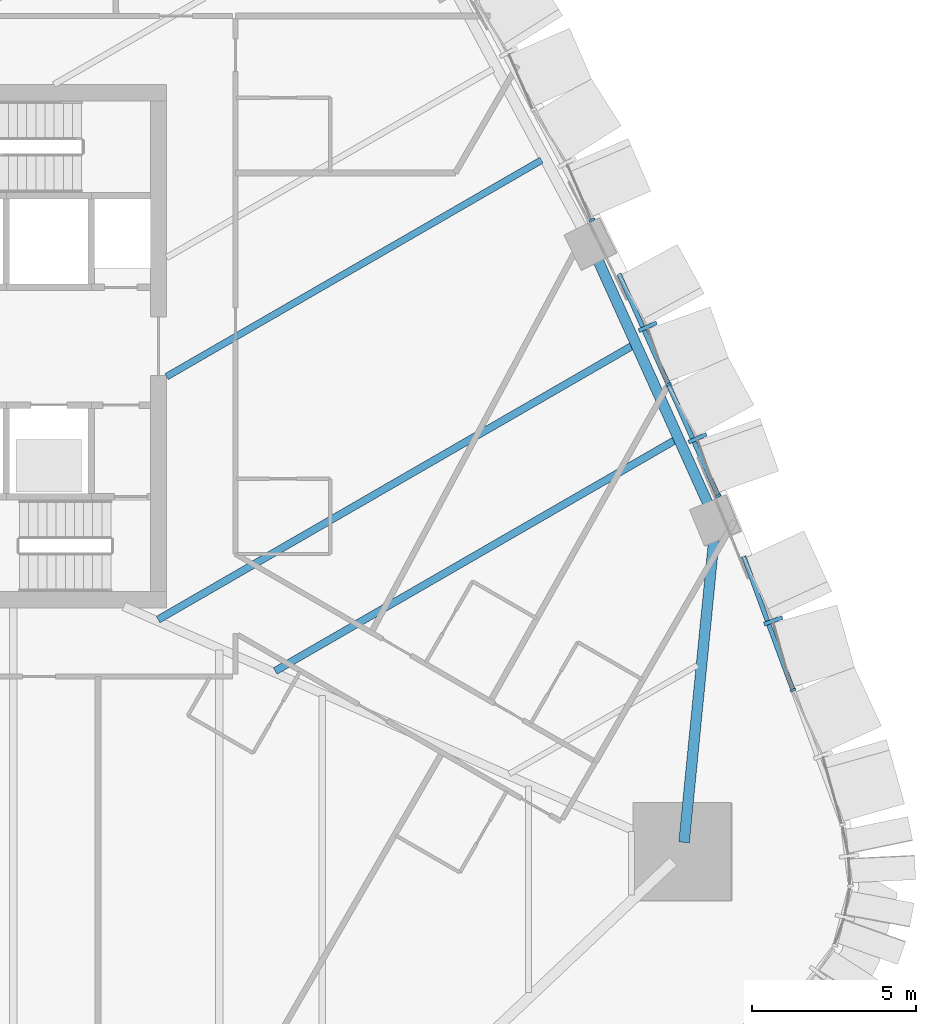
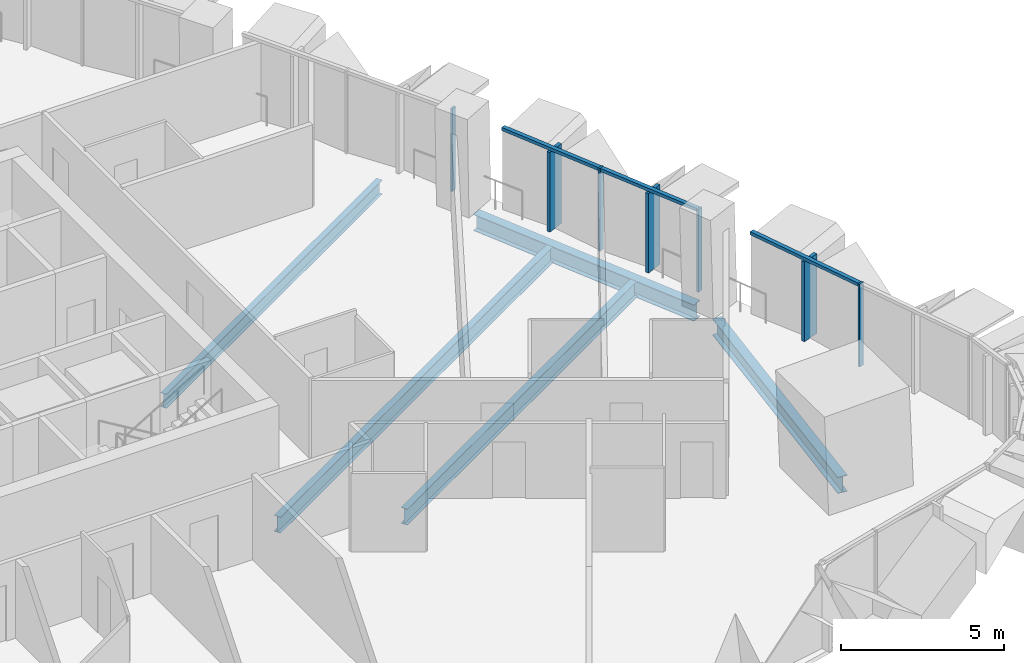
# One storey, part 5 of 22: 10 members, 5 beams, 3 elements without a shape of their own.
"""IFC4 building model written with IfcOpenShell, lengths in metres."""

from ifc_helpers import new_model, si_unit, direction, frame, origin, origin_2d, place, context, subcontext, project, spatial, rectangle, i_section, extrude, material, layer, layer_set, material_profile, profile_set, type_object, element, aggregate, save


model = new_model("IFC4")

# Units and contexts
model_context = context("Model", 3, precision=1e-05, world=origin(), true_north=direction((0.0, 1.0)))
body_context = subcontext(model_context, "Body", "Model", "MODEL_VIEW")
ifc_project = project(units=[si_unit("LENGTHUNIT", "METRE"), si_unit("AREAUNIT", "SQUARE_METRE"), si_unit("VOLUMEUNIT", "CUBIC_METRE"), si_unit("PLANEANGLEUNIT", "RADIAN"), si_unit("MASSUNIT", "GRAM", prefix="KILO")], contexts=[model_context])

# Site, building, storey
site_placement = place(None, origin())
site = spatial("IfcSite", under=ifc_project, at=site_placement, CompositionType="ELEMENT")
building_placement = place(site_placement, origin())
building = spatial("IfcBuilding", under=site, at=building_placement, Name="Sierra Prisma Convention Tower", CompositionType="ELEMENT")
storey_placement = place(building_placement, frame((0.0, 0.0, 62.800048828125)))
storey = spatial("IfcBuildingStorey", under=building, at=storey_placement, Name="L11", CompositionType="ELEMENT", Elevation=62.800048828125)

# Curtain wall, member
ifc_material_1 = material(Name="Aluminium and glass curtain wall", Category="aluminium")
ifc_layer = layer(ifc_material_1, 0.179931640625)
ifc_layer_set = layer_set([ifc_layer], Name="CW-2 Faceted crystal curtain wall")
curtain_wall_type = type_object("IfcCurtainWallType", Name="CW-2 Faceted crystal curtain wall", PredefinedType="NOTDEFINED", material=ifc_layer_set)
curtain_wall_1_placement = place(storey_placement, origin())
curtain_wall_1 = element("IfcCurtainWall", 1, at=curtain_wall_1_placement, inside=storey, type_object=curtain_wall_type, Name="CW-2 NE1 L11", PredefinedType="NOTDEFINED")
ifc_material_2 = material(Name="Aluminium 6063-T6 bronze anodised", Category="aluminium")
ifc_material_profile_1 = material_profile(ifc_material_2, rectangle(XDim=0.1201171875, YDim=0.60009765625, at=origin_2d()), Name="ALU RIDGE BLADE 120x600")
ifc_profile_set_1 = profile_set([ifc_material_profile_1], Name="Aluminium 6063-T6 bronze anodised")
member_type_1 = type_object("IfcMemberType", Name="CW hip bronze", PredefinedType="MULLION", material=ifc_profile_set_1)
member_1_placement = place(storey_placement, frame((29.548095703125, -8.392822265625, 0.0), z_axis=(0.0, 0.0, 1.0), x_axis=(-0.346042554423, 0.938218818042, 0.0)))
member_1 = element("IfcMember", 2, at=member_1_placement, type_object=member_type_1, Name="CW-2 ridge NE1.2", PredefinedType="MULLION", context=body_context, shape_type="SweptSolid", body=[
    extrude(rectangle(XDim=0.1201171875, YDim=0.60009765625, at=origin_2d()), origin(), (0.0, 0.0, 1.0), 2.97998046875),
])

# Curtain wall, members
curtain_wall_2_placement = place(storey_placement, origin())
curtain_wall_2 = element("IfcCurtainWall", 3, at=curtain_wall_2_placement, inside=storey, type_object=curtain_wall_type, Name="CW-2 NE2 L11", PredefinedType="NOTDEFINED")
member_2_placement = place(storey_placement, frame((27.232666015625, -2.81103515625, 0.0), z_axis=(0.0, 0.0, 1.0), x_axis=(-0.408052367478, 0.912958523371, 0.0)))
member_2 = element("IfcMember", 4, at=member_2_placement, type_object=member_type_1, Name="CW-2 ridge NE2.1", PredefinedType="MULLION", context=body_context, shape_type="SweptSolid", body=[
    extrude(rectangle(XDim=0.1201171875, YDim=0.60009765625, at=origin_2d()), origin(), (0.0, 0.0, 1.0), 2.97998046875),
])
member_3_placement = place(storey_placement, frame((25.70947265625, 0.59716796875, 0.0), z_axis=(0.0, 0.0, 1.0), x_axis=(-0.408052367478, 0.912958523371, 0.0)))
member_3 = element("IfcMember", 5, at=member_3_placement, type_object=member_type_1, Name="CW-2 ridge NE2.2", PredefinedType="MULLION", context=body_context, shape_type="SweptSolid", body=[
    extrude(rectangle(XDim=0.1201171875, YDim=0.60009765625, at=origin_2d()), origin(), (0.0, 0.0, 1.0), 2.97998046875),
])

# Member
ifc_material_3 = material(Name="Aluminium 6063-T6 bronze anodised", Category="aluminium")
ifc_material_profile_2 = material_profile(ifc_material_3, rectangle(XDim=0.179931640625, YDim=0.070068359375, at=origin_2d()), Name="ALU MULLION 70x180")
ifc_profile_set_2 = profile_set([ifc_material_profile_2], Name="Aluminium 6063-T6 bronze anodised")
member_type_2 = type_object("IfcMemberType", Name="CW mullion bronze", PredefinedType="MULLION", material=ifc_profile_set_2)
member_4_placement = place(storey_placement, frame((30.1474609375, -10.50927734375, 0.0), z_axis=(0.0, 0.0, 1.0), x_axis=(-0.938218818042, -0.346042554423, 0.0)))
member_4 = element("IfcMember", 6, at=member_4_placement, type_object=member_type_2, Name="CW-1 mullion NE1.2", PredefinedType="MULLION", context=body_context, shape_type="SweptSolid", body=[
    extrude(rectangle(XDim=0.179931640625, YDim=0.070068359375, at=origin_2d()), origin(), (0.0, 0.0, 1.0), 3.099853515625),
])

member_5_placement = place(storey_placement, frame((27.86279296875, -4.57373046875, 0.0), z_axis=(0.0, 0.0, 1.0), x_axis=(-0.912958523371, -0.408052367478, 0.0)))
member_5 = element("IfcMember", 7, at=member_5_placement, type_object=member_type_2, Name="CW-1 mullion NE2.1", PredefinedType="MULLION", context=body_context, shape_type="SweptSolid", body=[
    extrude(rectangle(XDim=0.179931640625, YDim=0.070068359375, at=origin_2d()), origin(), (0.0, 0.0, 1.0), 3.099853515625),
])

member_6_placement = place(storey_placement, frame((26.33935546875, -1.165771484375, 0.0), z_axis=(0.0, 0.0, 1.0), x_axis=(-0.912958523371, -0.408052367478, 0.0)))
member_6 = element("IfcMember", 8, at=member_6_placement, type_object=member_type_2, Name="CW-1 mullion NE2.2", PredefinedType="MULLION", context=body_context, shape_type="SweptSolid", body=[
    extrude(rectangle(XDim=0.179931640625, YDim=0.070068359375, at=origin_2d()), origin(), (0.0, 0.0, 1.0), 3.099853515625),
])

# Curtain wall, member
curtain_wall_3_placement = place(storey_placement, origin())
curtain_wall_3 = element("IfcCurtainWall", 9, at=curtain_wall_3_placement, inside=storey, type_object=curtain_wall_type, Name="CW-2 NE3 L11", PredefinedType="NOTDEFINED")
member_7_placement = place(storey_placement, frame((24.007568359375, 3.859130859375, 0.0), z_axis=(0.0, 0.0, 1.0), x_axis=(-0.88360516229, -0.468232759613, 0.0)))
member_7 = element("IfcMember", 10, at=member_7_placement, type_object=member_type_2, Name="CW-1 mullion NE3.1", PredefinedType="MULLION", context=body_context, shape_type="SweptSolid", body=[
    extrude(rectangle(XDim=0.179931640625, YDim=0.070068359375, at=origin_2d()), origin(), (0.0, 0.0, 1.0), 3.099853515625),
])
aggregate(curtain_wall_3, [member_7])

# Member
ifc_material_4 = material(Name="Aluminium 6063-T6 bronze anodised", Category="aluminium")
ifc_material_profile_3 = material_profile(ifc_material_4, rectangle(XDim=0.139892578125, YDim=0.1201171875, at=origin_2d()), Name="ALU TRANSOM 120x140")
ifc_profile_set_3 = profile_set([ifc_material_profile_3], Name="Aluminium 6063-T6 bronze anodised")
member_type_3 = type_object("IfcMemberType", Name="CW transom bronze", PredefinedType="USERDEFINED", material=ifc_profile_set_3)
member_8_placement = place(storey_placement, frame((30.135498046875, -10.476318359375, 3.0400390625), z_axis=(-0.346072323186, 0.938207837915, 0.0), x_axis=(-0.938207837915, -0.346072323186, 0.0)))
member_8 = element("IfcMember", 11, at=member_8_placement, type_object=member_type_3, Name="CW-1 transom NE1.2", ObjectType="TRANSOM", PredefinedType="USERDEFINED", context=body_context, shape_type="SweptSolid", body=[
    extrude(rectangle(XDim=0.139892578125, YDim=0.1201171875, at=origin_2d()), origin(), (0.0, 0.0, 1.0), 4.31591796875),
])

aggregate(curtain_wall_1, [member_4, member_8, member_1])

member_9_placement = place(storey_placement, frame((27.848388671875, -4.5419921875, 3.0400390625), z_axis=(-0.408029899077, 0.912968565428, 0.0), x_axis=(-0.912968565428, -0.408029899077, 0.0)))
member_9 = element("IfcMember", 12, at=member_9_placement, type_object=member_type_3, Name="CW-1 transom NE2.1", ObjectType="TRANSOM", PredefinedType="USERDEFINED", context=body_context, shape_type="SweptSolid", body=[
    extrude(rectangle(XDim=0.139892578125, YDim=0.1201171875, at=origin_2d()), origin(), (0.0, 0.0, 1.0), 3.6630859375),
])

member_10_placement = place(storey_placement, frame((26.3251953125, -1.1337890625, 3.0400390625), z_axis=(-0.408085450168, 0.912943736142, 0.0), x_axis=(-0.912943736142, -0.408085450168, 0.0)))
member_10 = element("IfcMember", 13, at=member_10_placement, type_object=member_type_3, Name="CW-1 transom NE2.2", ObjectType="TRANSOM", PredefinedType="USERDEFINED", context=body_context, shape_type="SweptSolid", body=[
    extrude(rectangle(XDim=0.139892578125, YDim=0.1201171875, at=origin_2d()), origin(), (0.0, 0.0, 1.0), 3.6630859375),
])

aggregate(curtain_wall_2, [member_5, member_6, member_9, member_2, member_10, member_3])

# Beams
ifc_material_5 = material(Name="Steel ASTM A992 Gr 50", Category="steel")
ifc_material_profile_4 = material_profile(ifc_material_5, i_section(OverallWidth=0.208984375, OverallDepth=0.532958984375, WebThickness=0.01025390625, FlangeThickness=0.015625, at=origin_2d()), Name="W530x92")
ifc_profile_set_4 = profile_set([ifc_material_profile_4], Name="Steel ASTM A992 Gr 50")
beam_type_1 = type_object("IfcBeamType", Name="Floor joist W530x92", PredefinedType="JOIST", material=ifc_profile_set_4)
beam_1_placement = place(storey_placement, frame((22.464599609375, 5.691650390625, -0.41650390625), z_axis=(-0.866023737097, -0.500002886777, 0.0), x_axis=(0.500002886777, -0.866023737097, 0.0)))
element("IfcBeam", 14, at=beam_1_placement, inside=storey, type_object=beam_type_1, Name="Floor joist L11 NE07", PredefinedType="JOIST", context=body_context, shape_type="SweptSolid", body=[
    extrude(i_section(OverallWidth=0.208984375, OverallDepth=0.532958984375, WebThickness=0.01025390625, FlangeThickness=0.015625, at=origin_2d()), origin(), (0.0, 0.0, 1.0), 13.23828125),
])
ifc_material_6 = material(Name="Steel ASTM A992 Gr 50", Category="steel")
ifc_material_profile_5 = material_profile(ifc_material_6, i_section(OverallWidth=0.22802734375, OverallDepth=0.60302734375, WebThickness=0.010498046875, FlangeThickness=0.014892578125, at=origin_2d()), Name="W610x101")
ifc_profile_set_5 = profile_set([ifc_material_profile_5], Name="Steel ASTM A992 Gr 50")
beam_type_2 = type_object("IfcBeamType", Name="Floor joist W610x101", PredefinedType="JOIST", material=ifc_profile_set_5)
beam_2_placement = place(storey_placement, frame((26.548828125, -2.8681640625, -0.45166015625), z_axis=(-0.866028959754, -0.499993840829, 0.0), x_axis=(0.499993840829, -0.866028959754, 0.0)))
element("IfcBeam", 15, at=beam_2_placement, inside=storey, type_object=beam_type_2, Name="Floor joist L11 NE04", PredefinedType="JOIST", context=body_context, shape_type="SweptSolid", body=[
    extrude(i_section(OverallWidth=0.22802734375, OverallDepth=0.60302734375, WebThickness=0.010498046875, FlangeThickness=0.014892578125, at=origin_2d()), origin(), (0.0, 0.0, 1.0), 14.120849609375),
])
beam_3_placement = place(storey_placement, frame((25.244140625, 0.017822265625, -0.45166015625), z_axis=(-0.866025846236, -0.49999923365, 0.0), x_axis=(0.49999923365, -0.866025846236, 0.0)))
element("IfcBeam", 16, at=beam_3_placement, inside=storey, type_object=beam_type_2, Name="Floor joist L11 NE05", PredefinedType="JOIST", context=body_context, shape_type="SweptSolid", body=[
    extrude(i_section(OverallWidth=0.22802734375, OverallDepth=0.60302734375, WebThickness=0.010498046875, FlangeThickness=0.014892578125, at=origin_2d()), origin(), (0.0, 0.0, 1.0), 16.7470703125),
])
ifc_material_7 = material(Name="Steel ASTM A992 Gr 50", Category="steel")
ifc_material_profile_6 = material_profile(ifc_material_7, i_section(OverallWidth=0.324951171875, OverallDepth=0.615966796875, WebThickness=0.013916015625, FlangeThickness=0.021484375, at=origin_2d()), Name="W610x174")
ifc_profile_set_6 = profile_set([ifc_material_profile_6], Name="Steel ASTM A992 Gr 50")
beam_type_3 = type_object("IfcBeamType", Name="Spandrel beam W610x174", PredefinedType="BEAM", material=ifc_profile_set_6)
beam_4_placement = place(storey_placement, frame((26.818603515625, -15.16650390625, -0.4580078125), z_axis=(0.098180537619, 0.9951686199, 0.0), x_axis=(-0.9951686199, 0.098180537619, 0.0)))
element("IfcBeam", 17, at=beam_4_placement, inside=storey, type_object=beam_type_3, Name="Spandrel L11-07", PredefinedType="BEAM", context=body_context, shape_type="SweptSolid", body=[
    extrude(i_section(OverallWidth=0.324951171875, OverallDepth=0.615966796875, WebThickness=0.013916015625, FlangeThickness=0.021484375, at=origin_2d()), origin(), (0.0, 0.0, 1.0), 9.3173828125),
])
beam_5_placement = place(storey_placement, frame((27.590576171875, -4.899169921875, -0.4580078125), z_axis=(-0.411916805036, 0.911221458115, 0.0), x_axis=(-0.911221458115, -0.411916805036, 0.0)))
element("IfcBeam", 18, at=beam_5_placement, inside=storey, type_object=beam_type_3, Name="Spandrel L11-08", PredefinedType="BEAM", context=body_context, shape_type="SweptSolid", body=[
    extrude(i_section(OverallWidth=0.324951171875, OverallDepth=0.615966796875, WebThickness=0.013916015625, FlangeThickness=0.021484375, at=origin_2d()), origin(), (0.0, 0.0, 1.0), 8.322509765625),
])

save(model, "model.ifc")
